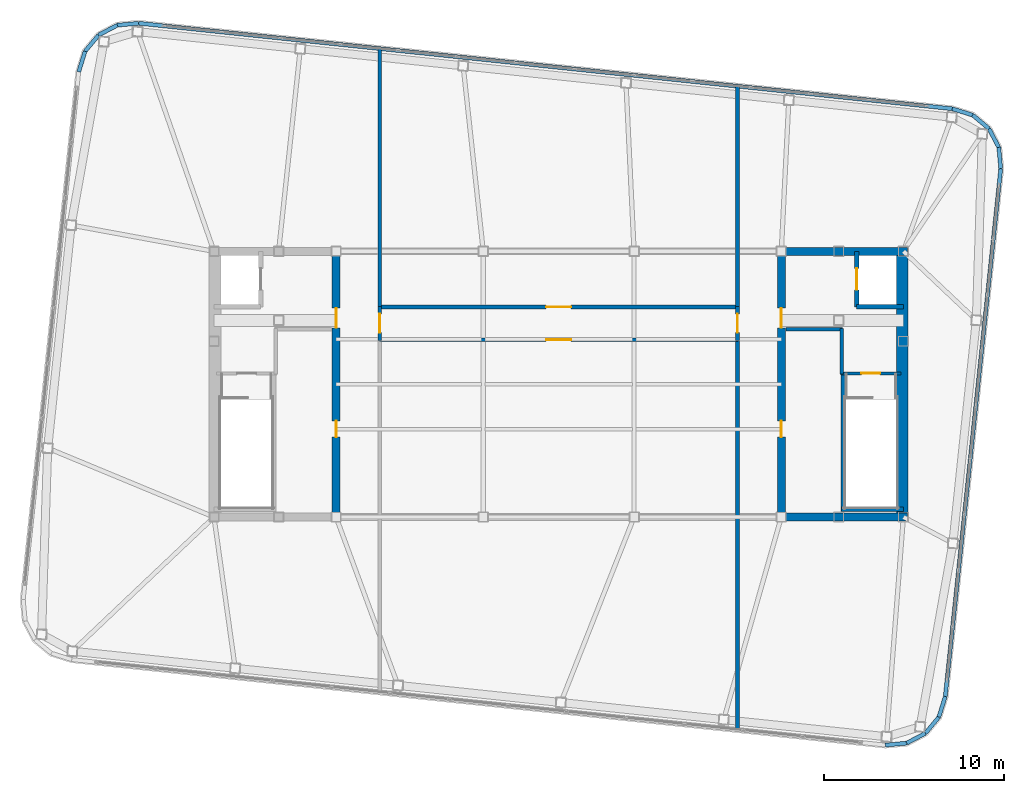
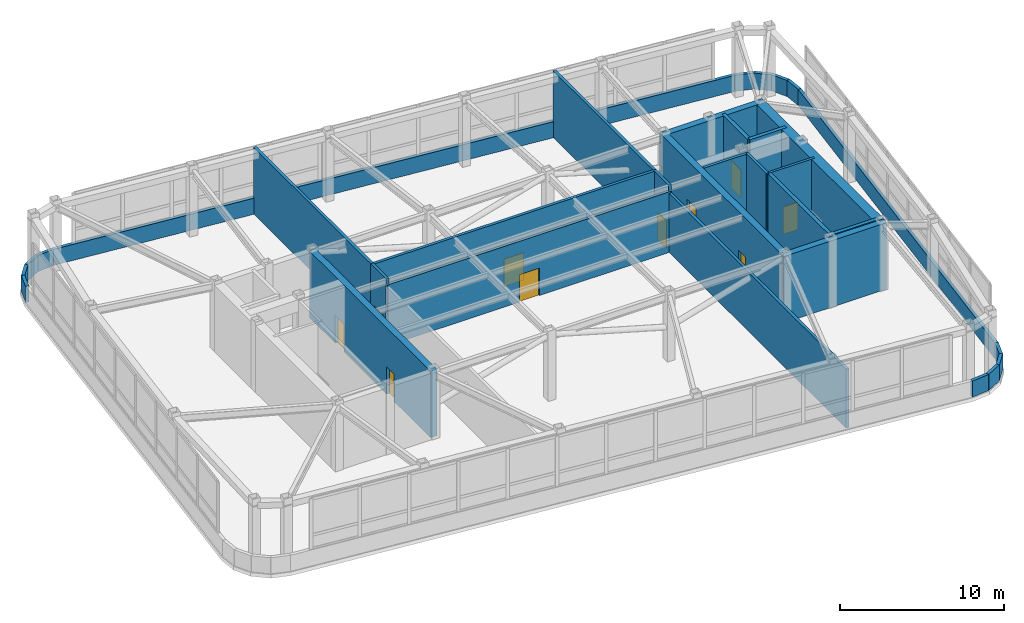
# One storey, part 20 of 21: 33 walls, 10 doors, 10 openings.
"""IFC4 building model written with IfcOpenShell, lengths in metres."""

from ifc_helpers import new_model, si_unit, direction, frame, frame_2d, origin, place, context, subcontext, project, spatial, rectangle, extrude, material, layer, layer_set, type_object, element, fill, save


model = new_model("IFC4")

# Units and contexts
model_context = context("Model", 3, precision=1e-05, world=origin(), true_north=direction((0.0, 1.0)))
body_context = subcontext(model_context, "Body", "Model", "MODEL_VIEW")
ifc_project = project(units=[si_unit("LENGTHUNIT", "METRE"), si_unit("AREAUNIT", "SQUARE_METRE"), si_unit("VOLUMEUNIT", "CUBIC_METRE"), si_unit("PLANEANGLEUNIT", "RADIAN"), si_unit("MASSUNIT", "GRAM", prefix="KILO")], contexts=[model_context])

# Site, building, storey
site_placement = place(None, origin())
site = spatial("IfcSite", under=ifc_project, at=site_placement, CompositionType="ELEMENT")
building_placement = place(site_placement, origin())
building = spatial("IfcBuilding", under=site, at=building_placement, Name="Voryun Gate Residences", CompositionType="ELEMENT")
storey_placement = place(building_placement, frame((0.0, 0.0, 337.199951171875)))
storey = spatial("IfcBuildingStorey", under=building, at=storey_placement, Name="L82", CompositionType="ELEMENT", Elevation=337.199951171875)

# Wall, openings, doors
ifc_material_1 = material(Name="Concrete C50/60", Category="concrete")
ifc_layer_1 = layer(ifc_material_1, 0.449951171875, Name="CW_CORE_450")
ifc_layer_set_1 = layer_set([ifc_layer_1], Name="Concrete C50/60")
wall_type_1 = type_object("IfcWallType", Name="CW_CORE_450", PredefinedType="SHEAR", material=ifc_layer_set_1)
wall_1_placement = place(storey_placement, frame((-12.39990234375, -7.39990234375, 0.0), z_axis=(0.0, 0.0, 1.0), x_axis=(0.0, 1.0, 0.0)))
wall_1 = element("IfcWall", 1, at=wall_1_placement, inside=storey, type_object=wall_type_1, Name="L82 Core shear wall CW-L82-WE", PredefinedType="SHEAR", context=body_context, shape_type="SweptSolid", body=[
    extrude(rectangle(XDim=14.7998046875, YDim=0.449951171875, at=frame_2d((7.39990234375, 0.0))), origin(), (0.0, 0.0, 1.0), 4.9599609375),
])
opening_1_placement = place(wall_1_placement, frame((10.530029296875, 0.0, 0.0)))
opening_1 = element("IfcOpeningElement", 2, at=opening_1_placement, cuts=wall_1, Name="Opening D-FD60-2", PredefinedType="OPENING", context=body_context, shape_type="SweptSolid", body=[
    extrude(rectangle(XDim=1.10009765625, YDim=2.050048828125, at=frame_2d((0.550048828125, 1.02490234375))), frame((0.0, 0.235107421875, 0.0), z_axis=(0.0, -1.0, 0.0), x_axis=(1.0, 0.0, 0.0)), (0.0, 0.0, 1.0), 0.469970703125),
])
opening_2_placement = place(wall_1_placement, frame((4.449951171875, 0.0, 0.0)))
opening_2 = element("IfcOpeningElement", 3, at=opening_2_placement, cuts=wall_1, Name="Opening D-FD60-4", PredefinedType="OPENING", context=body_context, shape_type="SweptSolid", body=[
    extrude(rectangle(XDim=0.89990234375, YDim=2.050048828125, at=frame_2d((0.449951171875, 1.02490234375))), frame((0.0, 0.235107421875, 0.0), z_axis=(0.0, -1.0, 0.0), x_axis=(1.0, 0.0, 0.0)), (0.0, 0.0, 1.0), 0.469970703125),
])
ifc_material_2 = material(Name="Painted steel fire door", Category="steel")
door_type_1 = type_object("IfcDoorType", Name="DR_FD60_FFLOB_1100", OperationType="NOTDEFINED", PredefinedType="DOOR", material=ifc_material_2)
door_1_placement = place(opening_1_placement, origin())
door_1 = element("IfcDoor", 4, at=door_1_placement, inside=storey, type_object=door_type_1, Name="Door DR-L82-CLOB-W", OperationType="SINGLE_SWING_LEFT", OverallHeight=2.050048828125, OverallWidth=1.10009765625, PredefinedType="DOOR", context=body_context, shape_type="SweptSolid", body=[
    extrude(rectangle(XDim=1.10009765625, YDim=2.050048828125, at=frame_2d((0.550048828125, 1.02490234375))), frame((0.0, 0.02490234375, 0.0), z_axis=(0.0, -1.0, 0.0), x_axis=(1.0, 0.0, 0.0)), (0.0, 0.0, 1.0), 0.050048828125),
])
fill(opening_1, door_1)
ifc_material_3 = material(Name="Painted steel fire door", Category="steel")
door_type_2 = type_object("IfcDoorType", Name="DR_FD60_RISER_900", OperationType="NOTDEFINED", PredefinedType="DOOR", material=ifc_material_3)
door_2_placement = place(opening_2_placement, origin())
door_2 = element("IfcDoor", 5, at=door_2_placement, inside=storey, type_object=door_type_2, Name="Door DR-L82-CRNW", OperationType="SINGLE_SWING_LEFT", OverallHeight=2.050048828125, OverallWidth=0.89990234375, PredefinedType="DOOR", context=body_context, shape_type="SweptSolid", body=[
    extrude(rectangle(XDim=0.89990234375, YDim=2.050048828125, at=frame_2d((0.449951171875, 1.02490234375))), frame((0.0, 0.02490234375, 0.0), z_axis=(0.0, -1.0, 0.0), x_axis=(1.0, 0.0, 0.0)), (0.0, 0.0, 1.0), 0.050048828125),
])
fill(opening_2, door_2)

# Walls
for number, where, z_axis, x_axis, name in (
    (6, (12.175048828125, -7.39990234375, 0.0), (0.0, 0.0, 1.0), (1.0, 0.0, 0.0), "L82 Core shear wall CW-L82-ES"),
    (7, (12.175048828125, 7.39990234375, 0.0), (0.0, 0.0, 1.0), (1.0, 0.0, 0.0), "L82 Core shear wall CW-L82-EN"),
):
    element("IfcWall", number, at=place(storey_placement, frame(where, z_axis=z_axis, x_axis=x_axis)), inside=storey, type_object=wall_type_1, Name=name, PredefinedType="SHEAR", context=body_context, shape_type="SweptSolid", body=[
        extrude(rectangle(XDim=7.25, YDim=0.449951171875, at=frame_2d((3.625, 0.0))), origin(), (0.0, 0.0, 1.0), 4.9599609375),
    ])

# Wall, openings, doors
wall_2_placement = place(storey_placement, frame((12.39990234375, -7.39990234375, 0.0), z_axis=(0.0, 0.0, 1.0), x_axis=(0.0, 1.0, 0.0)))
wall_2 = element("IfcWall", 8, at=wall_2_placement, inside=storey, type_object=wall_type_1, Name="L82 Core shear wall CW-L82-EW", PredefinedType="SHEAR", context=body_context, shape_type="SweptSolid", body=[
    extrude(rectangle(XDim=14.7998046875, YDim=0.449951171875, at=frame_2d((7.39990234375, 0.0))), origin(), (0.0, 0.0, 1.0), 4.9599609375),
])
opening_3_placement = place(wall_2_placement, frame((10.530029296875, 0.0, 0.0)))
opening_3 = element("IfcOpeningElement", 9, at=opening_3_placement, cuts=wall_2, Name="Opening D-FD60-2", PredefinedType="OPENING", context=body_context, shape_type="SweptSolid", body=[
    extrude(rectangle(XDim=1.10009765625, YDim=2.050048828125, at=frame_2d((0.550048828125, 1.02490234375))), frame((0.0, 0.235107421875, 0.0), z_axis=(0.0, -1.0, 0.0), x_axis=(1.0, 0.0, 0.0)), (0.0, 0.0, 1.0), 0.469970703125),
])
opening_4_placement = place(wall_2_placement, frame((4.449951171875, 0.0, 0.0)))
opening_4 = element("IfcOpeningElement", 10, at=opening_4_placement, cuts=wall_2, Name="Opening D-FD60-4", PredefinedType="OPENING", context=body_context, shape_type="SweptSolid", body=[
    extrude(rectangle(XDim=0.89990234375, YDim=2.050048828125, at=frame_2d((0.449951171875, 1.02490234375))), frame((0.0, 0.235107421875, 0.0), z_axis=(0.0, -1.0, 0.0), x_axis=(1.0, 0.0, 0.0)), (0.0, 0.0, 1.0), 0.469970703125),
])
door_3_placement = place(opening_3_placement, origin())
door_3 = element("IfcDoor", 11, at=door_3_placement, inside=storey, type_object=door_type_1, Name="Door DR-L82-CLOB-E", OperationType="SINGLE_SWING_RIGHT", OverallHeight=2.050048828125, OverallWidth=1.10009765625, PredefinedType="DOOR", context=body_context, shape_type="SweptSolid", body=[
    extrude(rectangle(XDim=1.10009765625, YDim=2.050048828125, at=frame_2d((0.550048828125, 1.02490234375))), frame((0.0, 0.02490234375, 0.0), z_axis=(0.0, -1.0, 0.0), x_axis=(1.0, 0.0, 0.0)), (0.0, 0.0, 1.0), 0.050048828125),
])
fill(opening_3, door_3)
door_4_placement = place(opening_4_placement, origin())
door_4 = element("IfcDoor", 12, at=door_4_placement, inside=storey, type_object=door_type_2, Name="Door DR-L82-CRNE", OperationType="SINGLE_SWING_RIGHT", OverallHeight=2.050048828125, OverallWidth=0.89990234375, PredefinedType="DOOR", context=body_context, shape_type="SweptSolid", body=[
    extrude(rectangle(XDim=0.89990234375, YDim=2.050048828125, at=frame_2d((0.449951171875, 1.02490234375))), frame((0.0, 0.02490234375, 0.0), z_axis=(0.0, -1.0, 0.0), x_axis=(1.0, 0.0, 0.0)), (0.0, 0.0, 1.0), 0.050048828125),
])
fill(opening_4, door_4)

# Wall
ifc_material_4 = material(Name="Concrete C60/75", Category="concrete")
ifc_layer_2 = layer(ifc_material_4, 0.64990234375, Name="CW_CORE_650")
ifc_layer_set_2 = layer_set([ifc_layer_2], Name="Concrete C60/75")
wall_type_2 = type_object("IfcWallType", Name="CW_CORE_650", PredefinedType="SHEAR", material=ifc_layer_set_2)
wall_3_placement = place(storey_placement, frame((19.14501953125, -7.39990234375, 0.0), z_axis=(0.0, 0.0, 1.0), x_axis=(0.0, 1.0, 0.0)))
element("IfcWall", 13, at=wall_3_placement, inside=storey, type_object=wall_type_2, Name="L82 Core shear wall CW-L82-EE", PredefinedType="SHEAR", context=body_context, shape_type="SweptSolid", body=[
    extrude(rectangle(XDim=14.7998046875, YDim=0.64990234375, at=frame_2d((7.39990234375, 0.0))), origin(), (0.0, 0.0, 1.0), 4.9599609375),
])

# Wall, opening, door
ifc_material_5 = material(Name="Gypsum acoustic fireboard")
ifc_layer_3 = layer(ifc_material_5, 0.179931640625, Name="W_CORR_RATED_180")
ifc_layer_set_3 = layer_set([ifc_layer_3], Name="Gypsum acoustic fireboard")
wall_type_3 = type_object("IfcWallType", Name="W_CORR_RATED_180", PredefinedType="PARTITIONING", material=ifc_layer_set_3)
wall_4_placement = place(storey_placement, frame((15.699951171875, 0.60009765625, 0.0), z_axis=(0.0, 0.0, 1.0), x_axis=(1.0, 0.0, 0.0)))
wall_4 = element("IfcWall", 14, at=wall_4_placement, inside=storey, type_object=wall_type_3, Name="Partition wall WP-L82-STV-E", PredefinedType="PARTITIONING", context=body_context, shape_type="SweptSolid", body=[
    extrude(rectangle(XDim=3.360107421875, YDim=0.179931640625, at=frame_2d((1.68017578125, 0.0))), origin(), (0.0, 0.0, 1.0), 4.9599609375),
])
opening_5_placement = place(wall_4_placement, frame((1.155029296875, 0.0, 0.0)))
opening_5 = element("IfcOpeningElement", 15, at=opening_5_placement, cuts=wall_4, Name="Opening D-FD60-1", PredefinedType="OPENING", context=body_context, shape_type="SweptSolid", body=[
    extrude(rectangle(XDim=1.050048828125, YDim=2.050048828125, at=frame_2d((0.52490234375, 1.02490234375))), frame((0.0, 0.099853515625, 0.0), z_axis=(0.0, -1.0, 0.0), x_axis=(1.0, 0.0, 0.0)), (0.0, 0.0, 1.0), 0.199951171875),
])
ifc_material_6 = material(Name="Painted steel fire door", Category="steel")
door_type_3 = type_object("IfcDoorType", Name="DR_FD60_STAIR_1050", OperationType="NOTDEFINED", PredefinedType="DOOR", material=ifc_material_6)
door_5_placement = place(opening_5_placement, origin())
door_5 = element("IfcDoor", 16, at=door_5_placement, inside=storey, type_object=door_type_3, Name="Door DR-L82-ST-E", OperationType="SINGLE_SWING_RIGHT", OverallHeight=2.050048828125, OverallWidth=1.050048828125, PredefinedType="DOOR", context=body_context, shape_type="SweptSolid", body=[
    extrude(rectangle(XDim=1.050048828125, YDim=2.050048828125, at=frame_2d((0.52490234375, 1.02490234375))), frame((0.0, 0.02490234375, 0.0), z_axis=(0.0, -1.0, 0.0), x_axis=(1.0, 0.0, 0.0)), (0.0, 0.0, 1.0), 0.050048828125),
])
fill(opening_5, door_5)

# Walls
ifc_material_7 = material(Name="Concrete C40/50", Category="concrete")
ifc_layer_4 = layer(ifc_material_7, 0.199951171875, Name="W_FF_LOBBY_200")
ifc_layer_set_4 = layer_set([ifc_layer_4], Name="Concrete C40/50")
wall_type_4 = type_object("IfcWallType", Name="W_FF_LOBBY_200", PredefinedType="PARTITIONING", material=ifc_layer_set_4)
wall_5_placement = place(storey_placement, frame((15.760009765625, 0.580078125, 0.0), z_axis=(0.0, 0.0, 1.0), x_axis=(0.0, 1.0, 0.0)))
element("IfcWall", 17, at=wall_5_placement, inside=storey, type_object=wall_type_4, Name="Partition wall WP-L82-FFP0-E", PredefinedType="PARTITIONING", context=body_context, shape_type="SweptSolid", body=[
    extrude(rectangle(XDim=2.52001953125, YDim=0.199951171875, at=frame_2d((1.260009765625, 0.0))), origin(), (0.0, 0.0, 1.0), 4.9599609375),
])
wall_6_placement = place(storey_placement, frame((12.659912109375, 3.06005859375, 0.0), z_axis=(0.0, 0.0, 1.0), x_axis=(1.0, 0.0, 0.0)))
element("IfcWall", 18, at=wall_6_placement, inside=storey, type_object=wall_type_4, Name="Partition wall WP-L82-FFPS-E", PredefinedType="PARTITIONING", context=body_context, shape_type="SweptSolid", body=[
    extrude(rectangle(XDim=3.16015625, YDim=0.199951171875, at=frame_2d((1.580078125, 0.0))), origin(), (0.0, 0.0, 1.0), 4.9599609375),
])

# Wall, opening, door
wall_7_placement = place(storey_placement, frame((-9.97998046875, 2.47998046875, 0.0), z_axis=(0.0, 0.0, 1.0), x_axis=(1.0, 0.0, 0.0)))
wall_7 = element("IfcWall", 19, at=wall_7_placement, inside=storey, type_object=wall_type_4, Name="Partition wall WP-L82-CS", PredefinedType="PARTITIONING", context=body_context, shape_type="SweptSolid", body=[
    extrude(rectangle(XDim=19.9599609375, YDim=0.199951171875, at=frame_2d((9.97998046875, 0.0))), origin(), (0.0, 0.0, 1.0), 4.530029296875),
])
opening_6_placement = place(wall_7_placement, frame((9.280029296875, 0.0, 0.0)))
opening_6 = element("IfcOpeningElement", 20, at=opening_6_placement, cuts=wall_7, Name="Opening D-FD60-3", PredefinedType="OPENING", context=body_context, shape_type="SweptSolid", body=[
    extrude(rectangle(XDim=1.39990234375, YDim=2.050048828125, at=frame_2d((0.699951171875, 1.02490234375))), frame((0.0, 0.110107421875, 0.0), z_axis=(0.0, -1.0, 0.0), x_axis=(1.0, 0.0, 0.0)), (0.0, 0.0, 1.0), 0.219970703125),
])
ifc_material_8 = material(Name="Painted steel fire door", Category="steel")
door_type_4 = type_object("IfcDoorType", Name="DR_FD60_PLANT_1400", OperationType="NOTDEFINED", PredefinedType="DOOR", material=ifc_material_8)
door_6_placement = place(opening_6_placement, origin())
door_6 = element("IfcDoor", 21, at=door_6_placement, inside=storey, type_object=door_type_4, Name="Door DR-L82-CS", OperationType="DOUBLE_DOOR_SINGLE_SWING", OverallHeight=2.050048828125, OverallWidth=1.39990234375, PredefinedType="DOOR", context=body_context, shape_type="SweptSolid", body=[
    extrude(rectangle(XDim=1.39990234375, YDim=2.050048828125, at=frame_2d((0.699951171875, 1.02490234375))), frame((0.0, 0.02490234375, 0.0), z_axis=(0.0, -1.0, 0.0), x_axis=(1.0, 0.0, 0.0)), (0.0, 0.0, 1.0), 0.050048828125),
])
fill(opening_6, door_6)

wall_8_placement = place(storey_placement, frame((-9.97998046875, 4.300048828125, 0.0), z_axis=(0.0, 0.0, 1.0), x_axis=(1.0, 0.0, 0.0)))
wall_8 = element("IfcWall", 22, at=wall_8_placement, inside=storey, type_object=wall_type_4, Name="Partition wall WP-L82-CN", PredefinedType="PARTITIONING", context=body_context, shape_type="SweptSolid", body=[
    extrude(rectangle(XDim=19.9599609375, YDim=0.199951171875, at=frame_2d((9.97998046875, 0.0))), origin(), (0.0, 0.0, 1.0), 4.9599609375),
])
opening_7_placement = place(wall_8_placement, frame((9.280029296875, 0.0, 0.0)))
opening_7 = element("IfcOpeningElement", 23, at=opening_7_placement, cuts=wall_8, Name="Opening D-FD60-3", PredefinedType="OPENING", context=body_context, shape_type="SweptSolid", body=[
    extrude(rectangle(XDim=1.39990234375, YDim=2.050048828125, at=frame_2d((0.699951171875, 1.02490234375))), frame((0.0, 0.110107421875, 0.0), z_axis=(0.0, -1.0, 0.0), x_axis=(1.0, 0.0, 0.0)), (0.0, 0.0, 1.0), 0.219970703125),
])
door_7_placement = place(opening_7_placement, origin())
door_7 = element("IfcDoor", 24, at=door_7_placement, inside=storey, type_object=door_type_4, Name="Door DR-L82-CN", OperationType="DOUBLE_DOOR_SINGLE_SWING", OverallHeight=2.050048828125, OverallWidth=1.39990234375, PredefinedType="DOOR", context=body_context, shape_type="SweptSolid", body=[
    extrude(rectangle(XDim=1.39990234375, YDim=2.050048828125, at=frame_2d((0.699951171875, 1.02490234375))), frame((0.0, 0.02490234375, 0.0), z_axis=(0.0, -1.0, 0.0), x_axis=(1.0, 0.0, 0.0)), (0.0, 0.0, 1.0), 0.050048828125),
])
fill(opening_7, door_7)

wall_9_placement = place(storey_placement, frame((-9.9599609375, 2.43994140625, 0.0), z_axis=(0.0, 0.0, 1.0), x_axis=(0.0, 1.0, 0.0)))
wall_9 = element("IfcWall", 25, at=wall_9_placement, inside=storey, type_object=wall_type_4, Name="Partition wall WP-L82-CWMID", PredefinedType="PARTITIONING", context=body_context, shape_type="SweptSolid", body=[
    extrude(rectangle(XDim=1.900146484375, YDim=0.199951171875, at=frame_2d((0.9501953125, 0.0))), origin(), (0.0, 0.0, 1.0), 4.9599609375),
])
opening_8_placement = place(wall_9_placement, frame((0.425048828125, 0.0, 0.0)))
opening_8 = element("IfcOpeningElement", 26, at=opening_8_placement, cuts=wall_9, Name="Opening D-FD60-1", PredefinedType="OPENING", context=body_context, shape_type="SweptSolid", body=[
    extrude(rectangle(XDim=1.050048828125, YDim=2.050048828125, at=frame_2d((0.52490234375, 1.02490234375))), frame((0.0, 0.110107421875, 0.0), z_axis=(0.0, -1.0, 0.0), x_axis=(1.0, 0.0, 0.0)), (0.0, 0.0, 1.0), 0.219970703125),
])
door_8_placement = place(opening_8_placement, origin())
door_8 = element("IfcDoor", 27, at=door_8_placement, inside=storey, type_object=door_type_3, Name="Door DR-L82-CW1", OperationType="SINGLE_SWING_LEFT", OverallHeight=2.050048828125, OverallWidth=1.050048828125, PredefinedType="DOOR", context=body_context, shape_type="SweptSolid", body=[
    extrude(rectangle(XDim=1.050048828125, YDim=2.050048828125, at=frame_2d((0.52490234375, 1.02490234375))), frame((0.0, 0.02490234375, 0.0), z_axis=(0.0, -1.0, 0.0), x_axis=(1.0, 0.0, 0.0)), (0.0, 0.0, 1.0), 0.050048828125),
])
fill(opening_8, door_8)

wall_10_placement = place(storey_placement, frame((9.9599609375, 2.43994140625, 0.0), z_axis=(0.0, 0.0, 1.0), x_axis=(0.0, 1.0, 0.0)))
wall_10 = element("IfcWall", 28, at=wall_10_placement, inside=storey, type_object=wall_type_4, Name="Partition wall WP-L82-CEMID", PredefinedType="PARTITIONING", context=body_context, shape_type="SweptSolid", body=[
    extrude(rectangle(XDim=1.900146484375, YDim=0.199951171875, at=frame_2d((0.9501953125, 0.0))), origin(), (0.0, 0.0, 1.0), 4.9599609375),
])
opening_9_placement = place(wall_10_placement, frame((0.425048828125, 0.0, 0.0)))
opening_9 = element("IfcOpeningElement", 29, at=opening_9_placement, cuts=wall_10, Name="Opening D-FD60-1", PredefinedType="OPENING", context=body_context, shape_type="SweptSolid", body=[
    extrude(rectangle(XDim=1.050048828125, YDim=2.050048828125, at=frame_2d((0.52490234375, 1.02490234375))), frame((0.0, 0.110107421875, 0.0), z_axis=(0.0, -1.0, 0.0), x_axis=(1.0, 0.0, 0.0)), (0.0, 0.0, 1.0), 0.219970703125),
])
door_9_placement = place(opening_9_placement, origin())
door_9 = element("IfcDoor", 30, at=door_9_placement, inside=storey, type_object=door_type_3, Name="Door DR-L82-CE1", OperationType="SINGLE_SWING_RIGHT", OverallHeight=2.050048828125, OverallWidth=1.050048828125, PredefinedType="DOOR", context=body_context, shape_type="SweptSolid", body=[
    extrude(rectangle(XDim=1.050048828125, YDim=2.050048828125, at=frame_2d((0.52490234375, 1.02490234375))), frame((0.0, 0.02490234375, 0.0), z_axis=(0.0, -1.0, 0.0), x_axis=(1.0, 0.0, 0.0)), (0.0, 0.0, 1.0), 0.050048828125),
])
fill(opening_9, door_9)

# Walls
wall_11_placement = place(storey_placement, frame((-9.9599609375, 4.280029296875, 0.0), z_axis=(0.0, 0.0, 1.0), x_axis=(0.0, 1.0, 0.0)))
element("IfcWall", 31, at=wall_11_placement, inside=storey, type_object=wall_type_4, Name="Partition wall WP-L82-CW2", PredefinedType="PARTITIONING", context=body_context, shape_type="SweptSolid", body=[
    extrude(rectangle(XDim=14.3916015625, YDim=0.199951171875, at=frame_2d((7.19580078125, 0.0))), origin(), (0.0, 0.0, 1.0), 4.9599609375),
])
wall_12_placement = place(storey_placement, frame((9.9599609375, -19.21826171875, 0.0), z_axis=(0.0, 0.0, 1.0), x_axis=(0.0, 1.0, 0.0)))
element("IfcWall", 32, at=wall_12_placement, inside=storey, type_object=wall_type_4, Name="Partition wall WP-L82-CE1", PredefinedType="PARTITIONING", context=body_context, shape_type="SweptSolid", body=[
    extrude(rectangle(XDim=21.71826171875, YDim=0.199951171875, at=frame_2d((10.859130859375, 0.0))), origin(), (0.0, 0.0, 1.0), 4.400146484375),
])
wall_13_placement = place(storey_placement, frame((9.9599609375, 4.280029296875, 0.0), z_axis=(0.0, 0.0, 1.0), x_axis=(0.0, 1.0, 0.0)))
element("IfcWall", 33, at=wall_13_placement, inside=storey, type_object=wall_type_4, Name="Partition wall WP-L82-CE2", PredefinedType="PARTITIONING", context=body_context, shape_type="SweptSolid", body=[
    extrude(rectangle(XDim=12.2978515625, YDim=0.199951171875, at=frame_2d((6.14892578125, 0.0))), origin(), (0.0, 0.0, 1.0), 4.9599609375),
])
ifc_material_9 = material(Name="Precast concrete C40/50", Category="concrete")
ifc_layer_5 = layer(ifc_material_9, 0.219970703125, Name="W_PARAPET_CURB_220")
ifc_layer_set_5 = layer_set([ifc_layer_5], Name="Precast concrete C40/50")
wall_type_5 = type_object("IfcWallType", Name="W_PARAPET_CURB_220", PredefinedType="PARAPET", material=ifc_layer_set_5)
wall_14_placement = place(storey_placement, frame((-26.7333984375, 17.400146484375, 0.0), z_axis=(0.0, 0.0, 1.0), x_axis=(0.296611239858, 0.95499831015, 0.0)))
element("IfcWall", 34, at=wall_14_placement, inside=storey, type_object=wall_type_5, Name="Exterior wall WCRN-L82-07", PredefinedType="PARAPET", context=body_context, shape_type="SweptSolid", body=[
    extrude(rectangle(XDim=1.195068359375, YDim=0.219970703125, at=frame_2d((0.59765625, 0.0))), origin(), (0.0, 0.0, 1.0), 1.199951171875),
])
wall_15_placement = place(storey_placement, frame((-26.37890625, 18.54150390625, 0.0), z_axis=(0.0, 0.0, 1.0), x_axis=(0.639408628756, 0.768867092203, 0.0)))
element("IfcWall", 35, at=wall_15_placement, inside=storey, type_object=wall_type_5, Name="Exterior wall WCRN-L82-08", PredefinedType="PARAPET", context=body_context, shape_type="SweptSolid", body=[
    extrude(rectangle(XDim=1.1767578125, YDim=0.219970703125, at=frame_2d((0.58837890625, 0.0))), origin(), (0.0, 0.0, 1.0), 1.199951171875),
])
wall_16_placement = place(storey_placement, frame((-25.62646484375, 19.4462890625, 0.0), z_axis=(0.0, 0.0, 1.0), x_axis=(0.884985697578, 0.465618207421, 0.0)))
element("IfcWall", 36, at=wall_16_placement, inside=storey, type_object=wall_type_5, Name="Exterior wall WCRN-L82-09", PredefinedType="PARAPET", context=body_context, shape_type="SweptSolid", body=[
    extrude(rectangle(XDim=1.17724609375, YDim=0.219970703125, at=frame_2d((0.588623046875, 0.0))), origin(), (0.0, 0.0, 1.0), 1.199951171875),
])
wall_17_placement = place(storey_placement, frame((-24.584716796875, 19.994384765625, 0.0), z_axis=(0.0, 0.0, 1.0), x_axis=(0.995802277791, 0.091530451467, 0.0)))
element("IfcWall", 37, at=wall_17_placement, inside=storey, type_object=wall_type_5, Name="Exterior wall WCRN-L82-10", PredefinedType="PARAPET", context=body_context, shape_type="SweptSolid", body=[
    extrude(rectangle(XDim=1.195068359375, YDim=0.219970703125, at=frame_2d((0.59765625, 0.0))), origin(), (0.0, 0.0, 1.0), 1.199951171875),
])
wall_18_placement = place(storey_placement, frame((-23.394775390625, 20.103759765625, 0.0), z_axis=(0.0, 0.0, 1.0), x_axis=(0.994522116558, -0.104526358762, 0.0)))
element("IfcWall", 38, at=wall_18_placement, inside=storey, type_object=wall_type_5, Name="Exterior wall WCRN-L82-11", PredefinedType="PARAPET", context=body_context, shape_type="SweptSolid", body=[
    extrude(rectangle(XDim=45.564453125, YDim=0.219970703125, at=frame_2d((22.7822265625, 0.0))), origin(), (0.0, 0.0, 1.0), 1.199951171875),
])
wall_19_placement = place(storey_placement, frame((21.920166015625, 15.341064453125, 0.0), z_axis=(0.0, 0.0, 1.0), x_axis=(0.95499831015, -0.296611239858, 0.0)))
element("IfcWall", 39, at=wall_19_placement, inside=storey, type_object=wall_type_5, Name="Exterior wall WCRN-L82-12", PredefinedType="PARAPET", context=body_context, shape_type="SweptSolid", body=[
    extrude(rectangle(XDim=1.195068359375, YDim=0.219970703125, at=frame_2d((0.59765625, 0.0))), origin(), (0.0, 0.0, 1.0), 1.199951171875),
])
for number, where, z_axis, x_axis, name in (
    (40, (23.0615234375, 14.986572265625, 0.0), (0.0, 0.0, 1.0), (0.768765101718, -0.639531248947, 0.0), "Exterior wall WCRN-L82-13"),
    (41, (23.96630859375, 14.23388671875, 0.0), (0.0, 0.0, 1.0), (0.465703684269, -0.884940720308, 0.0), "Exterior wall WCRN-L82-14"),
):
    element("IfcWall", number, at=place(storey_placement, frame(where, z_axis=z_axis, x_axis=x_axis)), inside=storey, type_object=wall_type_5, Name=name, PredefinedType="PARAPET", context=body_context, shape_type="SweptSolid", body=[
        extrude(rectangle(XDim=1.177001953125, YDim=0.219970703125, at=frame_2d((0.58837890625, 0.0))), origin(), (0.0, 0.0, 1.0), 1.199951171875),
    ])
wall_20_placement = place(storey_placement, frame((24.514404296875, 13.1923828125, 0.0), z_axis=(0.0, 0.0, 1.0), x_axis=(0.091530451467, -0.995802277791, 0.0)))
element("IfcWall", 42, at=wall_20_placement, inside=storey, type_object=wall_type_5, Name="Exterior wall WCRN-L82-15", PredefinedType="PARAPET", context=body_context, shape_type="SweptSolid", body=[
    extrude(rectangle(XDim=1.195068359375, YDim=0.219970703125, at=frame_2d((0.59765625, 0.0))), origin(), (0.0, 0.0, 1.0), 1.199951171875),
])
wall_21_placement = place(storey_placement, frame((24.623779296875, 12.00244140625, 0.0), z_axis=(0.0, 0.0, 1.0), x_axis=(-0.104528313262, -0.994521911134, 0.0)))
element("IfcWall", 43, at=wall_21_placement, inside=storey, type_object=wall_type_5, Name="Exterior wall WCRN-L82-16", PredefinedType="PARAPET", context=body_context, shape_type="SweptSolid", body=[
    extrude(rectangle(XDim=29.564453125, YDim=0.219970703125, at=frame_2d((14.7822265625, 0.0))), origin(), (0.0, 0.0, 1.0), 1.199951171875),
])
wall_22_placement = place(storey_placement, frame((21.533447265625, -17.400146484375, 0.0), z_axis=(0.0, 0.0, 1.0), x_axis=(-0.296611239858, -0.95499831015, 0.0)))
element("IfcWall", 44, at=wall_22_placement, inside=storey, type_object=wall_type_5, Name="Exterior wall WCRN-L82-17", PredefinedType="PARAPET", context=body_context, shape_type="SweptSolid", body=[
    extrude(rectangle(XDim=1.195068359375, YDim=0.219970703125, at=frame_2d((0.59765625, 0.0))), origin(), (0.0, 0.0, 1.0), 1.199951171875),
])
wall_23_placement = place(storey_placement, frame((21.178955078125, -18.54150390625, 0.0), z_axis=(0.0, 0.0, 1.0), x_axis=(-0.639408628756, -0.768867092203, 0.0)))
element("IfcWall", 45, at=wall_23_placement, inside=storey, type_object=wall_type_5, Name="Exterior wall WCRN-L82-18", PredefinedType="PARAPET", context=body_context, shape_type="SweptSolid", body=[
    extrude(rectangle(XDim=1.1767578125, YDim=0.219970703125, at=frame_2d((0.58837890625, 0.0))), origin(), (0.0, 0.0, 1.0), 1.199951171875),
])
wall_24_placement = place(storey_placement, frame((20.426513671875, -19.4462890625, 0.0), z_axis=(0.0, 0.0, 1.0), x_axis=(-0.884985697578, -0.465618207421, 0.0)))
element("IfcWall", 46, at=wall_24_placement, inside=storey, type_object=wall_type_5, Name="Exterior wall WCRN-L82-19", PredefinedType="PARAPET", context=body_context, shape_type="SweptSolid", body=[
    extrude(rectangle(XDim=1.17724609375, YDim=0.219970703125, at=frame_2d((0.588623046875, 0.0))), origin(), (0.0, 0.0, 1.0), 1.199951171875),
])
wall_25_placement = place(storey_placement, frame((19.384765625, -19.994384765625, 0.0), z_axis=(0.0, 0.0, 1.0), x_axis=(-0.995802277791, -0.091530451467, 0.0)))
element("IfcWall", 47, at=wall_25_placement, inside=storey, type_object=wall_type_5, Name="Exterior wall WCRN-L82-20", PredefinedType="PARAPET", context=body_context, shape_type="SweptSolid", body=[
    extrude(rectangle(XDim=1.195068359375, YDim=0.219970703125, at=frame_2d((0.59765625, 0.0))), origin(), (0.0, 0.0, 1.0), 1.199951171875),
])
ifc_material_10 = material(Name="Concrete C50/60", Category="concrete")
ifc_layer_6 = layer(ifc_material_10, 0.25, Name="W_SHAFT_RC250")
ifc_layer_set_6 = layer_set([ifc_layer_6], Name="Concrete C50/60")
wall_type_6 = type_object("IfcWallType", Name="W_SHAFT_RC250", PredefinedType="SOLIDWALL", material=ifc_layer_set_6)
wall_26_placement = place(storey_placement, frame((15.860107421875, -7.0849609375, 0.0), z_axis=(0.0, 0.0, 1.0), x_axis=(0.0, 1.0, 0.0)))
element("IfcWall", 48, at=wall_26_placement, inside=storey, type_object=wall_type_6, Name="L82 Stair shaft structural wall E-STL", PredefinedType="SOLIDWALL", context=body_context, shape_type="SweptSolid", body=[
    extrude(rectangle(XDim=7.68505859375, YDim=0.25, at=frame_2d((3.842529296875, 0.0))), origin(), (0.0, 0.0, 1.0), 4.9599609375),
])
wall_27_placement = place(storey_placement, frame((15.739990234375, -6.965087890625, 0.0), z_axis=(0.0, 0.0, 1.0), x_axis=(1.0, 0.0, 0.0)))
element("IfcWall", 49, at=wall_27_placement, inside=storey, type_object=wall_type_6, Name="L82 Stair shaft structural wall E-STS", PredefinedType="SOLIDWALL", context=body_context, shape_type="SweptSolid", body=[
    extrude(rectangle(XDim=3.4599609375, YDim=0.25, at=frame_2d((1.72998046875, 0.0))), origin(), (0.0, 0.0, 1.0), 4.9599609375),
])
wall_28_placement = place(storey_placement, frame((16.60009765625, 4.300048828125, 0.0), z_axis=(0.0, 0.0, 1.0), x_axis=(1.0, 0.0, 0.0)))
element("IfcWall", 50, at=wall_28_placement, inside=storey, type_object=wall_type_6, Name="Lift shaft wall WSH-L82-EL-FF-E1-S", PredefinedType="SOLIDWALL", context=body_context, shape_type="SweptSolid", body=[
    extrude(rectangle(XDim=2.599853515625, YDim=0.25, at=frame_2d((1.2998046875, 0.0))), origin(), (0.0, 0.0, 1.0), 4.9599609375),
])

# Wall, opening, door
wall_29_placement = place(storey_placement, frame((16.60009765625, 7.39990234375, 0.0), z_axis=(0.0, 0.0, 1.0), x_axis=(0.0, -1.0, 0.0)))
wall_29 = element("IfcWall", 51, at=wall_29_placement, inside=storey, type_object=wall_type_6, Name="Lift shaft wall WSH-L82-EL-FF-E1-W", PredefinedType="SOLIDWALL", context=body_context, shape_type="SweptSolid", body=[
    extrude(rectangle(XDim=3.099853515625, YDim=0.25, at=frame_2d((1.5498046875, 0.0))), origin(), (0.0, 0.0, 1.0), 4.9599609375),
])
opening_10_placement = place(wall_29_placement, frame((0.949951171875, 0.0, 0.0)))
opening_10 = element("IfcOpeningElement", 52, at=opening_10_placement, cuts=wall_29, Name="Opening LD1", PredefinedType="OPENING", context=body_context, shape_type="SweptSolid", body=[
    extrude(rectangle(XDim=1.199951171875, YDim=2.050048828125, at=frame_2d((0.60009765625, 1.02490234375))), frame((0.0, 0.135009765625, 0.0), z_axis=(0.0, -1.0, 0.0), x_axis=(1.0, 0.0, 0.0)), (0.0, 0.0, 1.0), 0.27001953125),
])
ifc_material_11 = material(Name="Anodised aluminium", Category="aluminium")
door_type_5 = type_object("IfcDoorType", Name="DR_LD_FF_1200", OperationType="NOTDEFINED", PredefinedType="DOOR", material=ifc_material_11)
door_10_placement = place(opening_10_placement, origin())
door_10 = element("IfcDoor", 53, at=door_10_placement, inside=storey, type_object=door_type_5, Name="Lift EL-FF-E1 sliding landing door L82", OperationType="SLIDING_TO_LEFT", OverallHeight=2.050048828125, OverallWidth=1.199951171875, PredefinedType="DOOR", context=body_context, shape_type="SweptSolid", body=[
    extrude(rectangle(XDim=1.199951171875, YDim=2.050048828125, at=frame_2d((0.60009765625, 1.02490234375))), frame((0.0, 0.02490234375, 0.0), z_axis=(0.0, -1.0, 0.0), x_axis=(1.0, 0.0, 0.0)), (0.0, 0.0, 1.0), 0.050048828125),
])
fill(opening_10, door_10)

save(model, "model.ifc")
